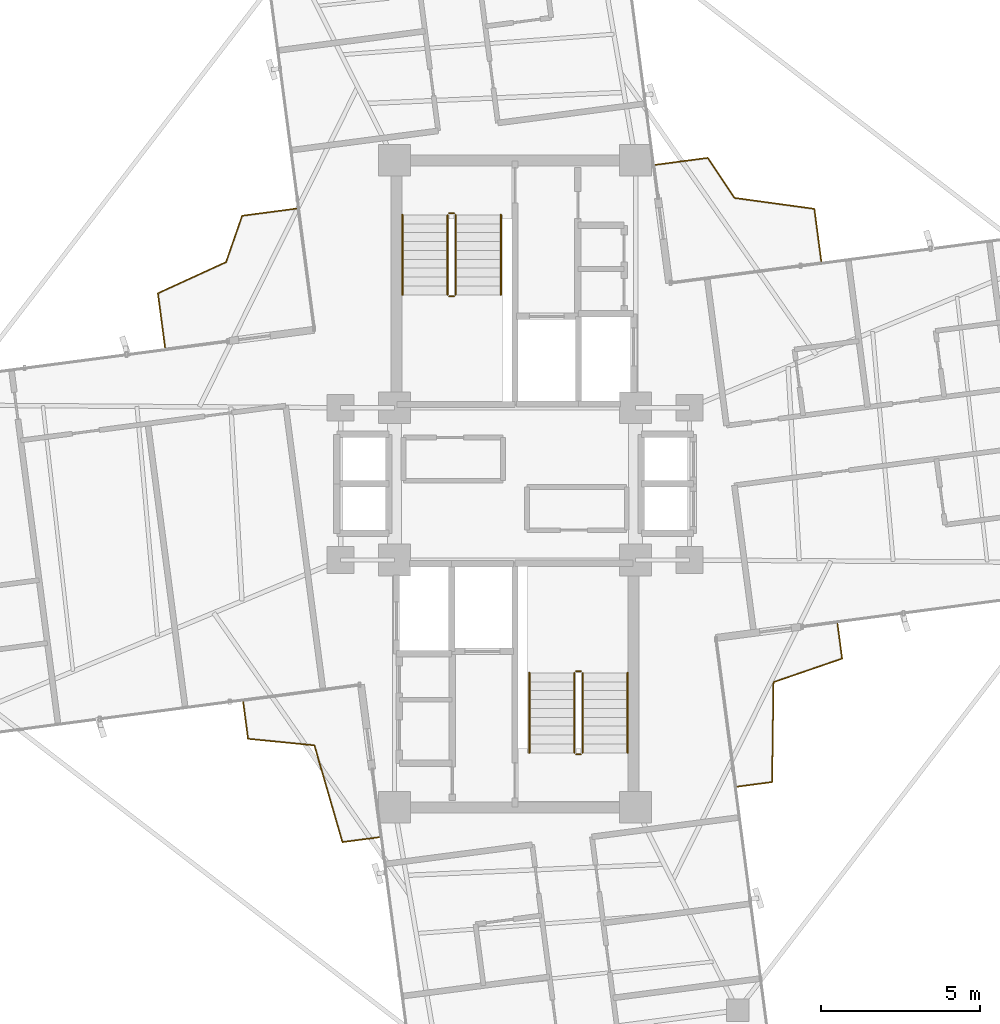
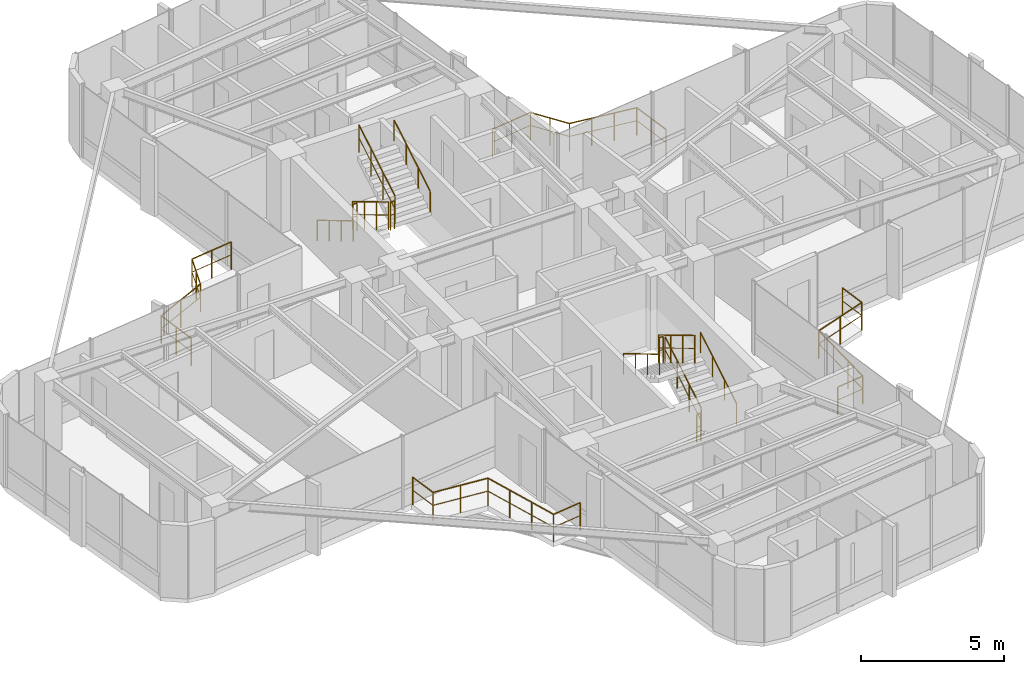
# One storey, part 22 of 22: 16 railings.
"""IFC4 building model written with IfcOpenShell, lengths in metres."""

from ifc_helpers import new_model, si_unit, direction, frame, origin, origin_2d, place, context, subcontext, project, spatial, circle, extrude, material, type_object, element, save


model = new_model("IFC4")

# Units and contexts
model_context = context("Model", 3, precision=1e-05, world=origin(), true_north=direction((0.0, 1.0)))
body_context = subcontext(model_context, "Body", "Model", "MODEL_VIEW")
ifc_project = project(units=[si_unit("LENGTHUNIT", "METRE"), si_unit("AREAUNIT", "SQUARE_METRE"), si_unit("VOLUMEUNIT", "CUBIC_METRE"), si_unit("PLANEANGLEUNIT", "RADIAN"), si_unit("MASSUNIT", "GRAM", prefix="KILO")], contexts=[model_context])

# Site, building, storey
site_placement = place(None, origin())
site = spatial("IfcSite", under=ifc_project, at=site_placement, CompositionType="ELEMENT")
building_placement = place(site_placement, origin())
building = spatial("IfcBuilding", under=site, at=building_placement, Name="Sahyath Konkavel Grand Hotel", CompositionType="ELEMENT")
storey_placement = place(building_placement, frame((0.0, 0.0, 223.25)))
storey = spatial("IfcBuildingStorey", under=building, at=storey_placement, Name="L62", CompositionType="ELEMENT", Elevation=223.25)

# Railings
ifc_material_1 = material(Name="Anodised Bronze Aluminium", Category="aluminium")
railing_type_1 = type_object("IfcRailingType", Name="RLG-BALC-1200", PredefinedType="GUARDRAIL", material=ifc_material_1)
railing_1_placement = place(storey_placement, frame((9.654052734375, 7.022216796875, 0.0)))
element("IfcRailing", 1, at=railing_1_placement, inside=storey, type_object=railing_type_1, Name="L62 Winter-Garden Guard NE", PredefinedType="GUARDRAIL", context=body_context, shape_type="SweptSolid", body=[
    extrude(circle(Radius=0.02392578125, at=origin_2d()), frame((-0.000244140625, 0.001953125, 1.17578125), z_axis=(-0.130462104886, 0.991453296524, 0.0), x_axis=(-0.991453296524, -0.130462104886, 0.0)), (0.0, 0.0, 1.0), 1.65966796875),
    extrude(circle(Radius=0.01416015625, at=origin_2d()), frame((-0.000244140625, 0.001953125, 0.6240234375), z_axis=(-0.130462104886, 0.991453296524, 0.0), x_axis=(-0.991453296524, -0.130462104886, 0.0)), (0.0, 0.0, 1.0), 1.65966796875),
    extrude(circle(Radius=0.02392578125, at=origin_2d()), frame((-0.218994140625, 1.649658203125, 1.17578125), z_axis=(-0.990776912543, 0.135503171813, 0.0), x_axis=(-0.135503171813, -0.990776912543, 0.0)), (0.0, 0.0, 1.0), 2.538330078125),
    extrude(circle(Radius=0.01416015625, at=origin_2d()), frame((-0.218994140625, 1.649658203125, 0.6240234375), z_axis=(-0.990776912543, 0.135503171813, 0.0), x_axis=(-0.135503171813, -0.990776912543, 0.0)), (0.0, 0.0, 1.0), 2.538330078125),
    extrude(circle(Radius=0.02392578125, at=origin_2d()), frame((-2.737060546875, 1.99560546875, 1.17578125), z_axis=(-0.555331700334, 0.831628945266, 0.0), x_axis=(-0.831628945266, -0.555331700334, 0.0)), (0.0, 0.0, 1.0), 1.51220703125),
    extrude(circle(Radius=0.01416015625, at=origin_2d()), frame((-2.737060546875, 1.99560546875, 0.6240234375), z_axis=(-0.555331700334, 0.831628945266, 0.0), x_axis=(-0.831628945266, -0.555331700334, 0.0)), (0.0, 0.0, 1.0), 1.51220703125),
    extrude(circle(Radius=0.02392578125, at=origin_2d()), frame((-3.579833984375, 3.254638671875, 1.17578125), z_axis=(-0.991434304512, -0.130606354502, 0.0), x_axis=(0.130606354502, -0.991434304512, 0.0)), (0.0, 0.0, 1.0), 1.65966796875),
    extrude(circle(Radius=0.01416015625, at=origin_2d()), frame((-3.579833984375, 3.254638671875, 0.6240234375), z_axis=(-0.991434304512, -0.130606354502, 0.0), x_axis=(0.130606354502, -0.991434304512, 0.0)), (0.0, 0.0, 1.0), 1.65966796875),
    extrude(circle(Radius=0.02099609375, at=origin_2d()), origin(), (0.0, 0.0, 1.0), 1.15185546875),
    extrude(circle(Radius=0.02099609375, at=origin_2d()), frame((-0.1083984375, 0.82470703125, 0.0)), (0.0, 0.0, 1.0), 1.15185546875),
    extrude(circle(Radius=0.02099609375, at=origin_2d()), frame((-0.217041015625, 1.6494140625, 0.0)), (0.0, 0.0, 1.0), 1.15185546875),
    extrude(circle(Radius=0.02099609375, at=origin_2d()), frame((-1.056640625, 1.76416015625, 0.0)), (0.0, 0.0, 1.0), 1.15185546875),
    extrude(circle(Radius=0.02099609375, at=origin_2d()), frame((-1.896240234375, 1.879150390625, 0.0)), (0.0, 0.0, 1.0), 1.15185546875),
    extrude(circle(Radius=0.02099609375, at=origin_2d()), frame((-2.73583984375, 1.993896484375, 0.0)), (0.0, 0.0, 1.0), 1.15185546875),
    extrude(circle(Radius=0.02099609375, at=origin_2d()), frame((-3.15673828125, 2.62451171875, 0.0)), (0.0, 0.0, 1.0), 1.15185546875),
    extrude(circle(Radius=0.02099609375, at=origin_2d()), frame((-3.577880859375, 3.2548828125, 0.0)), (0.0, 0.0, 1.0), 1.15185546875),
    extrude(circle(Radius=0.02099609375, at=origin_2d()), frame((-4.402587890625, 3.146240234375, 0.0)), (0.0, 0.0, 1.0), 1.15185546875),
    extrude(circle(Radius=0.02099609375, at=origin_2d()), frame((-5.227294921875, 3.03759765625, 0.0)), (0.0, 0.0, 1.0), 1.15185546875),
])
railing_2_placement = place(storey_placement, frame((-6.893798828125, 8.678466796875, 0.0)))
element("IfcRailing", 2, at=railing_2_placement, inside=storey, type_object=railing_type_1, Name="L62 Winter-Garden Guard NW", PredefinedType="GUARDRAIL", context=body_context, shape_type="SweptSolid", body=[
    extrude(circle(Radius=0.02392578125, at=origin_2d()), frame((-0.001953125, -0.000244140625, 1.17578125), z_axis=(-0.991448995612, -0.130494785718, 0.0), x_axis=(0.130494785718, -0.991448995612, 0.0)), (0.0, 0.0, 1.0), 1.720947265625),
    extrude(circle(Radius=0.01416015625, at=origin_2d()), frame((-0.001953125, -0.000244140625, 0.6240234375), z_axis=(-0.991448995612, -0.130494785718, 0.0), x_axis=(0.130494785718, -0.991448995612, 0.0)), (0.0, 0.0, 1.0), 1.720947265625),
    extrude(circle(Radius=0.02392578125, at=origin_2d()), frame((-1.7109375, -0.22705078125, 1.17578125), z_axis=(-0.327988224109, -0.94468181143, 0.0), x_axis=(0.94468181143, -0.327988224109, 0.0)), (0.0, 0.0, 1.0), 1.54345703125),
    extrude(circle(Radius=0.01416015625, at=origin_2d()), frame((-1.7109375, -0.22705078125, 0.6240234375), z_axis=(-0.327988224109, -0.94468181143, 0.0), x_axis=(0.94468181143, -0.327988224109, 0.0)), (0.0, 0.0, 1.0), 1.54345703125),
    extrude(circle(Radius=0.02392578125, at=origin_2d()), frame((-2.219482421875, -1.687744140625, 1.17578125), z_axis=(-0.909387393956, -0.415950198599, 0.0), x_axis=(0.415950198599, -0.909387393956, 0.0)), (0.0, 0.0, 1.0), 2.359130859375),
    extrude(circle(Radius=0.01416015625, at=origin_2d()), frame((-2.219482421875, -1.687744140625, 0.6240234375), z_axis=(-0.909387393956, -0.415950198599, 0.0), x_axis=(0.415950198599, -0.909387393956, 0.0)), (0.0, 0.0, 1.0), 2.359130859375),
    extrude(circle(Radius=0.02392578125, at=origin_2d()), frame((-4.366455078125, -2.671875, 1.17578125), z_axis=(0.130494785718, -0.991448995612, 0.0), x_axis=(0.991448995612, 0.130494785718, 0.0)), (0.0, 0.0, 1.0), 1.720947265625),
    extrude(circle(Radius=0.01416015625, at=origin_2d()), frame((-4.366455078125, -2.671875, 0.6240234375), z_axis=(0.130494785718, -0.991448995612, 0.0), x_axis=(0.991448995612, 0.130494785718, 0.0)), (0.0, 0.0, 1.0), 1.720947265625),
    extrude(circle(Radius=0.02099609375, at=origin_2d()), origin(), (0.0, 0.0, 1.0), 1.15185546875),
    extrude(circle(Radius=0.02099609375, at=origin_2d()), frame((-0.85498046875, -0.112548828125, 0.0)), (0.0, 0.0, 1.0), 1.15185546875),
    extrude(circle(Radius=0.02099609375, at=origin_2d()), frame((-1.710205078125, -0.22509765625, 0.0)), (0.0, 0.0, 1.0), 1.15185546875),
    extrude(circle(Radius=0.02099609375, at=origin_2d()), frame((-1.9638671875, -0.9560546875, 0.0)), (0.0, 0.0, 1.0), 1.15185546875),
    extrude(circle(Radius=0.02099609375, at=origin_2d()), frame((-2.2177734375, -1.68701171875, 0.0)), (0.0, 0.0, 1.0), 1.15185546875),
    extrude(circle(Radius=0.02099609375, at=origin_2d()), frame((-3.292236328125, -2.178466796875, 0.0)), (0.0, 0.0, 1.0), 1.15185546875),
    extrude(circle(Radius=0.02099609375, at=origin_2d()), frame((-4.36669921875, -2.669921875, 0.0)), (0.0, 0.0, 1.0), 1.15185546875),
    extrude(circle(Radius=0.02099609375, at=origin_2d()), frame((-4.254150390625, -3.52490234375, 0.0)), (0.0, 0.0, 1.0), 1.15185546875),
    extrude(circle(Radius=0.02099609375, at=origin_2d()), frame((-4.1416015625, -4.380126953125, 0.0)), (0.0, 0.0, 1.0), 1.15185546875),
])
railing_3_placement = place(storey_placement, frame((-8.5712890625, -6.879638671875, 0.0)))
element("IfcRailing", 3, at=railing_3_placement, inside=storey, type_object=railing_type_1, Name="L62 Winter-Garden Guard SW", PredefinedType="GUARDRAIL", context=body_context, shape_type="SweptSolid", body=[
    extrude(circle(Radius=0.02392578125, at=origin_2d()), frame((0.000244140625, -0.001953125, 1.17578125), z_axis=(0.130384246171, -0.991463538589, 0.0), x_axis=(0.991463538589, 0.130384246171, 0.0)), (0.0, 0.0, 1.0), 1.164306640625),
    extrude(circle(Radius=0.01416015625, at=origin_2d()), frame((0.000244140625, -0.001953125, 0.6240234375), z_axis=(0.130384246171, -0.991463538589, 0.0), x_axis=(0.991463538589, 0.130384246171, 0.0)), (0.0, 0.0, 1.0), 1.164306640625),
    extrude(circle(Radius=0.02392578125, at=origin_2d()), frame((0.154296875, -1.15869140625, 1.17578125), z_axis=(0.995188879228, -0.097974969564, 0.0), x_axis=(0.097974969564, 0.995188879228, 0.0)), (0.0, 0.0, 1.0), 2.09912109375),
    extrude(circle(Radius=0.01416015625, at=origin_2d()), frame((0.154296875, -1.15869140625, 0.6240234375), z_axis=(0.995188879228, -0.097974969564, 0.0), x_axis=(0.097974969564, 0.995188879228, 0.0)), (0.0, 0.0, 1.0), 2.09912109375),
    extrude(circle(Radius=0.02392578125, at=origin_2d()), frame((2.245849609375, -1.366455078125, 1.17578125), z_axis=(0.278110336906, -0.960549134874, 0.0), x_axis=(0.960549134874, 0.278110336906, 0.0)), (0.0, 0.0, 1.0), 3.172119140625),
    extrude(circle(Radius=0.01416015625, at=origin_2d()), frame((2.245849609375, -1.366455078125, 0.6240234375), z_axis=(0.278110336906, -0.960549134874, 0.0), x_axis=(0.960549134874, 0.278110336906, 0.0)), (0.0, 0.0, 1.0), 3.172119140625),
    extrude(circle(Radius=0.02392578125, at=origin_2d()), frame((3.130615234375, -4.4150390625, 1.17578125), z_axis=(0.991463538589, 0.130384246171, 0.0), x_axis=(-0.130384246171, 0.991463538589, 0.0)), (0.0, 0.0, 1.0), 1.164306640625),
    extrude(circle(Radius=0.01416015625, at=origin_2d()), frame((3.130615234375, -4.4150390625, 0.6240234375), z_axis=(0.991463538589, 0.130384246171, 0.0), x_axis=(-0.130384246171, 0.991463538589, 0.0)), (0.0, 0.0, 1.0), 1.164306640625),
    extrude(circle(Radius=0.02099609375, at=origin_2d()), origin(), (0.0, 0.0, 1.0), 1.15185546875),
    extrude(circle(Radius=0.02099609375, at=origin_2d()), frame((0.15234375, -1.158447265625, 0.0)), (0.0, 0.0, 1.0), 1.15185546875),
    extrude(circle(Radius=0.02099609375, at=origin_2d()), frame((1.19873046875, -1.261474609375, 0.0)), (0.0, 0.0, 1.0), 1.15185546875),
    extrude(circle(Radius=0.02099609375, at=origin_2d()), frame((2.245361328125, -1.364501953125, 0.0)), (0.0, 0.0, 1.0), 1.15185546875),
    extrude(circle(Radius=0.02099609375, at=origin_2d()), frame((2.539794921875, -2.38134765625, 0.0)), (0.0, 0.0, 1.0), 1.15185546875),
    extrude(circle(Radius=0.02099609375, at=origin_2d()), frame((2.834228515625, -3.3984375, 0.0)), (0.0, 0.0, 1.0), 1.15185546875),
    extrude(circle(Radius=0.02099609375, at=origin_2d()), frame((3.128662109375, -4.415283203125, 0.0)), (0.0, 0.0, 1.0), 1.15185546875),
    extrude(circle(Radius=0.02099609375, at=origin_2d()), frame((4.287109375, -4.262939453125, 0.0)), (0.0, 0.0, 1.0), 1.15185546875),
])
railing_4_placement = place(storey_placement, frame((7.008056640625, -9.547119140625, 0.0)))
element("IfcRailing", 4, at=railing_4_placement, inside=storey, type_object=railing_type_1, Name="L62 Winter-Garden Guard SE", PredefinedType="GUARDRAIL", context=body_context, shape_type="SweptSolid", body=[
    extrude(circle(Radius=0.02392578125, at=origin_2d()), frame((0.001953125, 0.000244140625, 1.17578125), z_axis=(0.991413718256, 0.13076253001, 0.0), x_axis=(-0.13076253001, 0.991413718256, 0.0)), (0.0, 0.0, 1.0), 1.103271484375),
    extrude(circle(Radius=0.01416015625, at=origin_2d()), frame((0.001953125, 0.000244140625, 0.6240234375), z_axis=(0.991413718256, 0.13076253001, 0.0), x_axis=(-0.13076253001, 0.991413718256, 0.0)), (0.0, 0.0, 1.0), 1.103271484375),
    extrude(circle(Radius=0.02392578125, at=origin_2d()), frame((1.09765625, 0.146728515625, 1.17578125), z_axis=(0.013719638837, 0.999905881326, 0.0), x_axis=(-0.999905881326, 0.013719638837, 0.0)), (0.0, 0.0, 1.0), 3.145751953125),
    extrude(circle(Radius=0.01416015625, at=origin_2d()), frame((1.09765625, 0.146728515625, 0.6240234375), z_axis=(0.013719638837, 0.999905881326, 0.0), x_axis=(-0.999905881326, 0.013719638837, 0.0)), (0.0, 0.0, 1.0), 3.145751953125),
    extrude(circle(Radius=0.02392578125, at=origin_2d()), frame((1.142822265625, 3.294921875, 1.17578125), z_axis=(0.945782978537, 0.324799257249, 0.0), x_axis=(-0.324799257249, 0.945782978537, 0.0)), (0.0, 0.0, 1.0), 2.282470703125),
    extrude(circle(Radius=0.01416015625, at=origin_2d()), frame((1.142822265625, 3.294921875, 0.6240234375), z_axis=(0.945782978537, 0.324799257249, 0.0), x_axis=(-0.324799257249, 0.945782978537, 0.0)), (0.0, 0.0, 1.0), 2.282470703125),
    extrude(circle(Radius=0.02392578125, at=origin_2d()), frame((3.30322265625, 4.038818359375, 1.17578125), z_axis=(-0.13054578094, 0.991442282273, 0.0), x_axis=(-0.991442282273, -0.13054578094, 0.0)), (0.0, 0.0, 1.0), 1.10302734375),
    extrude(circle(Radius=0.01416015625, at=origin_2d()), frame((3.30322265625, 4.038818359375, 0.6240234375), z_axis=(-0.13054578094, 0.991442282273, 0.0), x_axis=(-0.991442282273, -0.13054578094, 0.0)), (0.0, 0.0, 1.0), 1.10302734375),
    extrude(circle(Radius=0.02099609375, at=origin_2d()), origin(), (0.0, 0.0, 1.0), 1.15185546875),
    extrude(circle(Radius=0.02099609375, at=origin_2d()), frame((1.09765625, 0.144775390625, 0.0)), (0.0, 0.0, 1.0), 1.15185546875),
    extrude(circle(Radius=0.02099609375, at=origin_2d()), frame((1.112060546875, 1.194580078125, 0.0)), (0.0, 0.0, 1.0), 1.15185546875),
    extrude(circle(Radius=0.02099609375, at=origin_2d()), frame((1.12646484375, 2.244384765625, 0.0)), (0.0, 0.0, 1.0), 1.15185546875),
    extrude(circle(Radius=0.02099609375, at=origin_2d()), frame((1.140869140625, 3.294189453125, 0.0)), (0.0, 0.0, 1.0), 1.15185546875),
    extrude(circle(Radius=0.02099609375, at=origin_2d()), frame((2.22216796875, 3.66552734375, 0.0)), (0.0, 0.0, 1.0), 1.15185546875),
    extrude(circle(Radius=0.02099609375, at=origin_2d()), frame((3.303466796875, 4.036865234375, 0.0)), (0.0, 0.0, 1.0), 1.15185546875),
    extrude(circle(Radius=0.02099609375, at=origin_2d()), frame((3.158935546875, 5.134521484375, 0.0)), (0.0, 0.0, 1.0), 1.15185546875),
])
ifc_material_2 = material(Name="Steel E350", Category="steel")
railing_type_2 = type_object("IfcRailingType", Name="RLG-STAIR-GRD", PredefinedType="GUARDRAIL", material=ifc_material_2)
railing_5_placement = place(storey_placement, frame((-2.1298828125, 8.47998046875, 0.16748046875)))
element("IfcRailing", 5, at=railing_5_placement, inside=storey, type_object=railing_type_2, Name="L62 ST-1 stair guard 1", PredefinedType="GUARDRAIL", context=body_context, shape_type="SweptSolid", body=[
    extrude(circle(Radius=0.02392578125, at=origin_2d()), frame((0.0, -0.001708984375, 1.177001953125), z_axis=(0.0, -0.858159760407, 0.513382728203), x_axis=(1.0, 0.0, 0.0)), (0.0, 0.0, 1.0), 2.9326171875),
    extrude(circle(Radius=0.01416015625, at=origin_2d()), frame((0.0, -0.001708984375, 0.625), z_axis=(0.0, -0.858159760407, 0.513382728203), x_axis=(1.0, 0.0, 0.0)), (0.0, 0.0, 1.0), 2.9326171875),
    extrude(circle(Radius=0.02099609375, at=origin_2d()), origin(), (0.0, 0.0, 1.0), 1.15185546875),
    extrude(circle(Radius=0.02099609375, at=origin_2d()), frame((0.0, -0.840087890625, 0.50244140625)), (0.0, 0.0, 1.0), 1.15185546875),
    extrude(circle(Radius=0.02099609375, at=origin_2d()), frame((0.0, -1.679931640625, 1.005126953125)), (0.0, 0.0, 1.0), 1.15185546875),
    extrude(circle(Radius=0.02099609375, at=origin_2d()), frame((0.0, -2.52001953125, 1.507568359375)), (0.0, 0.0, 1.0), 1.15185546875),
])
railing_6_placement = place(storey_placement, frame((-2.080078125, 5.909912109375, 1.675048828125)))
element("IfcRailing", 6, at=railing_6_placement, inside=storey, type_object=railing_type_2, Name="L62 ST-1 stair guard 2", PredefinedType="GUARDRAIL", context=body_context, shape_type="SweptSolid", body=[
    extrude(circle(Radius=0.02392578125, at=origin_2d()), frame((0.001953125, 0.0, 1.17578125), z_axis=(1.0, 0.0, 0.0), x_axis=(0.0, 1.0, 0.0)), (0.0, 0.0, 1.0), 0.15625),
    extrude(circle(Radius=0.01416015625, at=origin_2d()), frame((0.001953125, 0.0, 0.6240234375), z_axis=(1.0, 0.0, 0.0), x_axis=(0.0, 1.0, 0.0)), (0.0, 0.0, 1.0), 0.15625),
    extrude(circle(Radius=0.02099609375, at=origin_2d()), origin(), (0.0, 0.0, 1.0), 1.15185546875),
    extrude(circle(Radius=0.02099609375, at=origin_2d()), frame((0.16015625, 0.0, 0.0)), (0.0, 0.0, 1.0), 1.15185546875),
])
railing_7_placement = place(storey_placement, frame((-1.8701171875, 5.9599609375, 1.842529296875)))
element("IfcRailing", 7, at=railing_7_placement, inside=storey, type_object=railing_type_2, Name="L62 ST-1 stair guard 3", PredefinedType="GUARDRAIL", context=body_context, shape_type="SweptSolid", body=[
    extrude(circle(Radius=0.02392578125, at=origin_2d()), frame((0.0, 0.001708984375, 1.177001953125), z_axis=(0.0, 0.858159760407, 0.513382728203), x_axis=(-1.0, 0.0, 0.0)), (0.0, 0.0, 1.0), 2.9326171875),
    extrude(circle(Radius=0.01416015625, at=origin_2d()), frame((0.0, 0.001708984375, 0.625), z_axis=(0.0, 0.858159760407, 0.513382728203), x_axis=(-1.0, 0.0, 0.0)), (0.0, 0.0, 1.0), 2.9326171875),
    extrude(circle(Radius=0.02099609375, at=origin_2d()), origin(), (0.0, 0.0, 1.0), 1.15185546875),
    extrude(circle(Radius=0.02099609375, at=origin_2d()), frame((0.0, 0.840087890625, 0.50244140625)), (0.0, 0.0, 1.0), 1.15185546875),
    extrude(circle(Radius=0.02099609375, at=origin_2d()), frame((0.0, 1.679931640625, 1.005126953125)), (0.0, 0.0, 1.0), 1.15185546875),
    extrude(circle(Radius=0.02099609375, at=origin_2d()), frame((0.0, 2.52001953125, 1.507568359375)), (0.0, 0.0, 1.0), 1.15185546875),
])
railing_8_placement = place(storey_placement, frame((-2.080078125, 8.530029296875, 0.0)))
element("IfcRailing", 8, at=railing_8_placement, inside=storey, type_object=railing_type_2, Name="L62 ST-1 stair guard 4", PredefinedType="GUARDRAIL", context=body_context, shape_type="SweptSolid", body=[
    extrude(circle(Radius=0.02392578125, at=origin_2d()), frame((0.001953125, 0.0, 1.17578125), z_axis=(1.0, 0.0, 0.0), x_axis=(0.0, 1.0, 0.0)), (0.0, 0.0, 1.0), 0.15625),
    extrude(circle(Radius=0.01416015625, at=origin_2d()), frame((0.001953125, 0.0, 0.6240234375), z_axis=(1.0, 0.0, 0.0), x_axis=(0.0, 1.0, 0.0)), (0.0, 0.0, 1.0), 0.15625),
    extrude(circle(Radius=0.02099609375, at=origin_2d()), origin(), (0.0, 0.0, 1.0), 1.15185546875),
    extrude(circle(Radius=0.02099609375, at=origin_2d()), frame((0.16015625, 0.0, 0.0)), (0.0, 0.0, 1.0), 1.15185546875),
])
railing_9_placement = place(storey_placement, frame((2.1298828125, -8.47998046875, 0.16748046875)))
element("IfcRailing", 9, at=railing_9_placement, inside=storey, type_object=railing_type_2, Name="L62 ST-2 stair guard 1", PredefinedType="GUARDRAIL", context=body_context, shape_type="SweptSolid", body=[
    extrude(circle(Radius=0.02392578125, at=origin_2d()), frame((0.0, 0.001708984375, 1.177001953125), z_axis=(0.0, 0.858159760407, 0.513382728203), x_axis=(-1.0, 0.0, 0.0)), (0.0, 0.0, 1.0), 2.9326171875),
    extrude(circle(Radius=0.01416015625, at=origin_2d()), frame((0.0, 0.001708984375, 0.625), z_axis=(0.0, 0.858159760407, 0.513382728203), x_axis=(-1.0, 0.0, 0.0)), (0.0, 0.0, 1.0), 2.9326171875),
    extrude(circle(Radius=0.02099609375, at=origin_2d()), origin(), (0.0, 0.0, 1.0), 1.15185546875),
    extrude(circle(Radius=0.02099609375, at=origin_2d()), frame((0.0, 0.840087890625, 0.50244140625)), (0.0, 0.0, 1.0), 1.15185546875),
    extrude(circle(Radius=0.02099609375, at=origin_2d()), frame((0.0, 1.679931640625, 1.005126953125)), (0.0, 0.0, 1.0), 1.15185546875),
    extrude(circle(Radius=0.02099609375, at=origin_2d()), frame((0.0, 2.52001953125, 1.507568359375)), (0.0, 0.0, 1.0), 1.15185546875),
])
railing_10_placement = place(storey_placement, frame((2.080078125, -5.909912109375, 1.675048828125)))
element("IfcRailing", 10, at=railing_10_placement, inside=storey, type_object=railing_type_2, Name="L62 ST-2 stair guard 2", PredefinedType="GUARDRAIL", context=body_context, shape_type="SweptSolid", body=[
    extrude(circle(Radius=0.02392578125, at=origin_2d()), frame((-0.001953125, 0.0, 1.17578125), z_axis=(-1.0, 0.0, 0.0), x_axis=(0.0, -1.0, 0.0)), (0.0, 0.0, 1.0), 0.15625),
    extrude(circle(Radius=0.01416015625, at=origin_2d()), frame((-0.001953125, 0.0, 0.6240234375), z_axis=(-1.0, 0.0, 0.0), x_axis=(0.0, -1.0, 0.0)), (0.0, 0.0, 1.0), 0.15625),
    extrude(circle(Radius=0.02099609375, at=origin_2d()), origin(), (0.0, 0.0, 1.0), 1.15185546875),
    extrude(circle(Radius=0.02099609375, at=origin_2d()), frame((-0.16015625, 0.0, 0.0)), (0.0, 0.0, 1.0), 1.15185546875),
])
railing_11_placement = place(storey_placement, frame((1.8701171875, -5.9599609375, 1.842529296875)))
element("IfcRailing", 11, at=railing_11_placement, inside=storey, type_object=railing_type_2, Name="L62 ST-2 stair guard 3", PredefinedType="GUARDRAIL", context=body_context, shape_type="SweptSolid", body=[
    extrude(circle(Radius=0.02392578125, at=origin_2d()), frame((0.0, -0.001708984375, 1.177001953125), z_axis=(0.0, -0.858159760407, 0.513382728203), x_axis=(1.0, 0.0, 0.0)), (0.0, 0.0, 1.0), 2.9326171875),
    extrude(circle(Radius=0.01416015625, at=origin_2d()), frame((0.0, -0.001708984375, 0.625), z_axis=(0.0, -0.858159760407, 0.513382728203), x_axis=(1.0, 0.0, 0.0)), (0.0, 0.0, 1.0), 2.9326171875),
    extrude(circle(Radius=0.02099609375, at=origin_2d()), origin(), (0.0, 0.0, 1.0), 1.15185546875),
    extrude(circle(Radius=0.02099609375, at=origin_2d()), frame((0.0, -0.840087890625, 0.50244140625)), (0.0, 0.0, 1.0), 1.15185546875),
    extrude(circle(Radius=0.02099609375, at=origin_2d()), frame((0.0, -1.679931640625, 1.005126953125)), (0.0, 0.0, 1.0), 1.15185546875),
    extrude(circle(Radius=0.02099609375, at=origin_2d()), frame((0.0, -2.52001953125, 1.507568359375)), (0.0, 0.0, 1.0), 1.15185546875),
])
railing_12_placement = place(storey_placement, frame((2.080078125, -8.530029296875, 0.0)))
element("IfcRailing", 12, at=railing_12_placement, inside=storey, type_object=railing_type_2, Name="L62 ST-2 stair guard 4", PredefinedType="GUARDRAIL", context=body_context, shape_type="SweptSolid", body=[
    extrude(circle(Radius=0.02392578125, at=origin_2d()), frame((-0.001953125, 0.0, 1.17578125), z_axis=(-1.0, 0.0, 0.0), x_axis=(0.0, -1.0, 0.0)), (0.0, 0.0, 1.0), 0.15625),
    extrude(circle(Radius=0.01416015625, at=origin_2d()), frame((-0.001953125, 0.0, 0.6240234375), z_axis=(-1.0, 0.0, 0.0), x_axis=(0.0, -1.0, 0.0)), (0.0, 0.0, 1.0), 0.15625),
    extrude(circle(Radius=0.02099609375, at=origin_2d()), origin(), (0.0, 0.0, 1.0), 1.15185546875),
    extrude(circle(Radius=0.02099609375, at=origin_2d()), frame((-0.16015625, 0.0, 0.0)), (0.0, 0.0, 1.0), 1.15185546875),
])
railing_type_3 = type_object("IfcRailingType", Name="RLG-STAIR-HND", PredefinedType="HANDRAIL", material=ifc_material_1)
railing_13_placement = place(storey_placement, frame((-3.550048828125, 8.47998046875, 0.16748046875)))
element("IfcRailing", 13, at=railing_13_placement, inside=storey, type_object=railing_type_3, Name="L62 ST-1 stair handrail 1", PredefinedType="HANDRAIL", context=body_context, shape_type="SweptSolid", body=[
    extrude(circle(Radius=0.02392578125, at=origin_2d()), frame((0.0, -0.001708984375, 0.876953125), z_axis=(0.0, -0.858159760407, 0.513382728203), x_axis=(1.0, 0.0, 0.0)), (0.0, 0.0, 1.0), 2.9326171875),
    extrude(circle(Radius=0.02099609375, at=origin_2d()), origin(), (0.0, 0.0, 1.0), 0.851806640625),
    extrude(circle(Radius=0.02099609375, at=origin_2d()), frame((0.0, -0.840087890625, 0.50244140625)), (0.0, 0.0, 1.0), 0.851806640625),
    extrude(circle(Radius=0.02099609375, at=origin_2d()), frame((0.0, -1.679931640625, 1.005126953125)), (0.0, 0.0, 1.0), 0.851806640625),
    extrude(circle(Radius=0.02099609375, at=origin_2d()), frame((0.0, -2.52001953125, 1.507568359375)), (0.0, 0.0, 1.0), 0.851806640625),
])
for number, where, name in (
    (14, (-0.449951171875, 5.9599609375, 1.842529296875), "L62 ST-1 stair handrail 2"),
    (15, (3.550048828125, -8.47998046875, 0.16748046875), "L62 ST-2 stair handrail 1"),
):
    element("IfcRailing", number, at=place(storey_placement, frame(where)), inside=storey, type_object=railing_type_3, Name=name, PredefinedType="HANDRAIL", context=body_context, shape_type="SweptSolid", body=[
        extrude(circle(Radius=0.02392578125, at=origin_2d()), frame((0.0, 0.001708984375, 0.876953125), z_axis=(0.0, 0.858159760407, 0.513382728203), x_axis=(-1.0, 0.0, 0.0)), (0.0, 0.0, 1.0), 2.9326171875),
        extrude(circle(Radius=0.02099609375, at=origin_2d()), origin(), (0.0, 0.0, 1.0), 0.851806640625),
        extrude(circle(Radius=0.02099609375, at=origin_2d()), frame((0.0, 0.840087890625, 0.50244140625)), (0.0, 0.0, 1.0), 0.851806640625),
        extrude(circle(Radius=0.02099609375, at=origin_2d()), frame((0.0, 1.679931640625, 1.005126953125)), (0.0, 0.0, 1.0), 0.851806640625),
        extrude(circle(Radius=0.02099609375, at=origin_2d()), frame((0.0, 2.52001953125, 1.507568359375)), (0.0, 0.0, 1.0), 0.851806640625),
    ])
railing_14_placement = place(storey_placement, frame((0.449951171875, -5.9599609375, 1.842529296875)))
element("IfcRailing", 16, at=railing_14_placement, inside=storey, type_object=railing_type_3, Name="L62 ST-2 stair handrail 2", PredefinedType="HANDRAIL", context=body_context, shape_type="SweptSolid", body=[
    extrude(circle(Radius=0.02392578125, at=origin_2d()), frame((0.0, -0.001708984375, 0.876953125), z_axis=(0.0, -0.858159760407, 0.513382728203), x_axis=(1.0, 0.0, 0.0)), (0.0, 0.0, 1.0), 2.9326171875),
    extrude(circle(Radius=0.02099609375, at=origin_2d()), origin(), (0.0, 0.0, 1.0), 0.851806640625),
    extrude(circle(Radius=0.02099609375, at=origin_2d()), frame((0.0, -0.840087890625, 0.50244140625)), (0.0, 0.0, 1.0), 0.851806640625),
    extrude(circle(Radius=0.02099609375, at=origin_2d()), frame((0.0, -1.679931640625, 1.005126953125)), (0.0, 0.0, 1.0), 0.851806640625),
    extrude(circle(Radius=0.02099609375, at=origin_2d()), frame((0.0, -2.52001953125, 1.507568359375)), (0.0, 0.0, 1.0), 0.851806640625),
])

save(model, "model.ifc")
